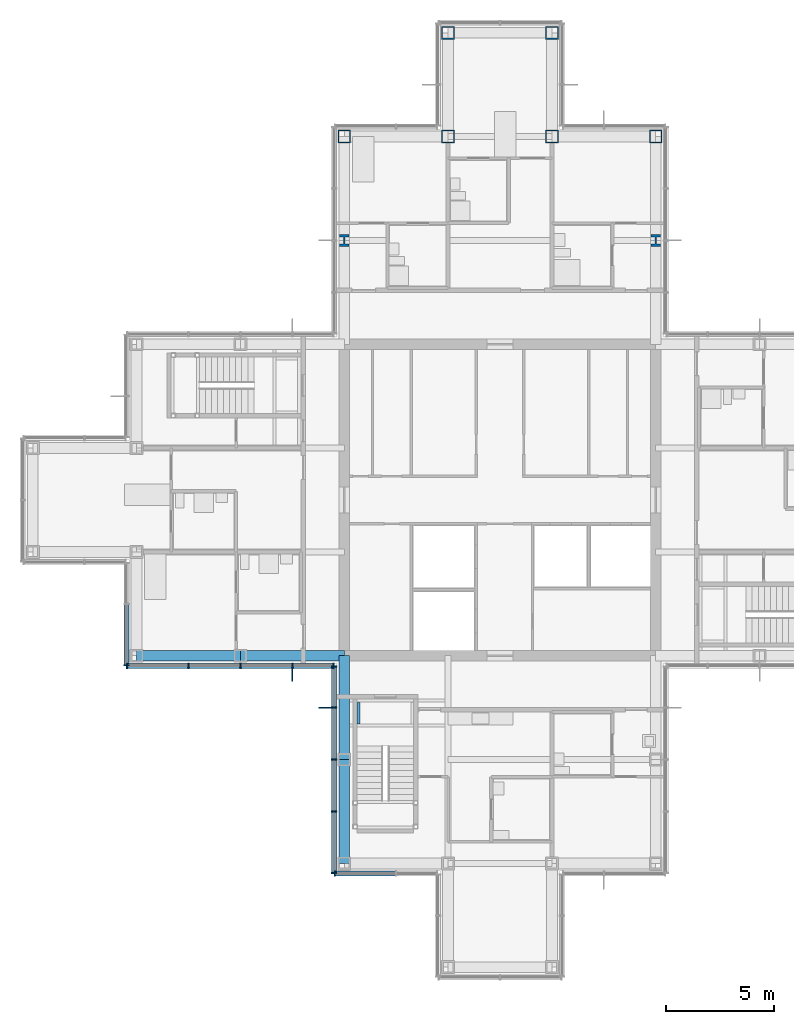
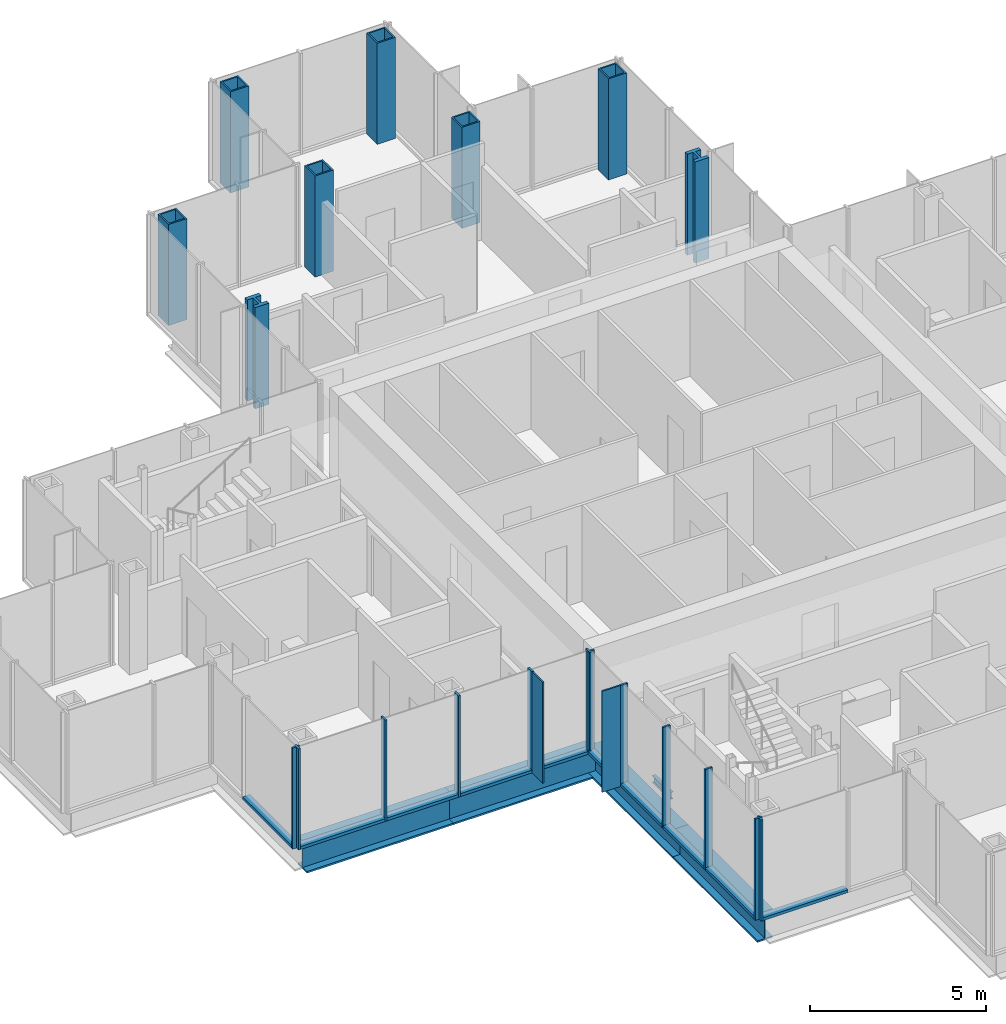
# One storey, part 5 of 17: 24 members, 8 columns, 5 beams, 4 elements without a shape of their own.
"""IFC4 building model written with IfcOpenShell, lengths in metres."""

from ifc_helpers import new_model, si_unit, direction, frame, origin, origin_2d, place, context, subcontext, project, spatial, rectangle, hollow_rectangle, i_section, extrude, material, material_profile, profile_set, type_object, element, aggregate, save


model = new_model("IFC4")

# Units and contexts
model_context = context("Model", 3, precision=1e-05, world=origin(), true_north=direction((0.0, 1.0)))
body_context = subcontext(model_context, "Body", "Model", "MODEL_VIEW")
ifc_project = project(units=[si_unit("LENGTHUNIT", "METRE"), si_unit("AREAUNIT", "SQUARE_METRE"), si_unit("VOLUMEUNIT", "CUBIC_METRE"), si_unit("PLANEANGLEUNIT", "RADIAN"), si_unit("MASSUNIT", "GRAM", prefix="KILO")], contexts=[model_context])

# Site, building, storey
site_placement = place(None, origin())
site = spatial("IfcSite", under=ifc_project, at=site_placement, CompositionType="ELEMENT")
building_placement = place(site_placement, origin())
building = spatial("IfcBuilding", under=site, at=building_placement, Name="Kvirike Care Tower", CompositionType="ELEMENT")
storey_placement = place(building_placement, frame((0.0, 0.0, 148.0)))
storey = spatial("IfcBuildingStorey", under=building, at=storey_placement, Name="L40", CompositionType="ELEMENT", Elevation=148.0)

# Columns
ifc_material_1 = material(Name="Steel S460", Category="steel")
ifc_material_profile_1 = material_profile(ifc_material_1, hollow_rectangle(XDim=0.60009765625, YDim=0.60009765625, WallThickness=0.050048828125, at=origin_2d()), Name="BX 600x600x50")
ifc_profile_set_1 = profile_set([ifc_material_profile_1], Name="Steel S460")
column_type_1 = type_object("IfcColumnType", Name="COLUMN BX 600x600x50", PredefinedType="COLUMN", material=ifc_profile_set_1)
for number, where, z_axis, x_axis, name in (
    (1, (14.39990234375, 52.800048828125, 0.0), (0.0, 0.0, 1.0), (0.0, 1.0, 0.0), "Column M6 L40"),
    (2, (19.199951171875, 52.800048828125, 0.0), (0.0, 0.0, 1.0), (0.0, 1.0, 0.0), "Column M7 L40"),
    (3, (19.199951171875, 57.60009765625, 0.0), (0.0, 0.0, 1.0), (0.0, 1.0, 0.0), "Column N7 L40"),
    (4, (24.0, 52.800048828125, 0.0), (0.0, 0.0, 1.0), (0.0, 1.0, 0.0), "Column M8 L40"),
    (5, (24.0, 57.60009765625, 0.0), (0.0, 0.0, 1.0), (0.0, 1.0, 0.0), "Column N8 L40"),
    (6, (28.800048828125, 52.800048828125, 0.0), (0.0, 0.0, 1.0), (0.0, 1.0, 0.0), "Column M9 L40"),
):
    element("IfcColumn", number, at=place(storey_placement, frame(where, z_axis=z_axis, x_axis=x_axis)), inside=storey, type_object=column_type_1, Name=name, PredefinedType="COLUMN", context=body_context, shape_type="SweptSolid", body=[
        extrude(hollow_rectangle(XDim=0.60009765625, YDim=0.60009765625, WallThickness=0.050048828125, at=origin_2d()), origin(), (0.0, 0.0, 1.0), 3.5),
    ])
ifc_material_2 = material(Name="Steel S460", Category="steel")
ifc_material_profile_2 = material_profile(ifc_material_2, i_section(OverallWidth=0.4541015625, OverallDepth=0.569091796875, WebThickness=0.077880859375, FlangeThickness=0.125, FilletRadius=0.014892578125, at=origin_2d()), Name="HD 400x1086")
ifc_profile_set_2 = profile_set([ifc_material_profile_2], Name="Steel S460")
column_type_2 = type_object("IfcColumnType", Name="COLUMN HD 400x1086", PredefinedType="COLUMN", material=ifc_profile_set_2)
for number, where, z_axis, x_axis, name in (
    (7, (14.39990234375, 48.0, 0.0), (0.0, 0.0, 1.0), (1.0, 0.0, 0.0), "Column L6 L40"),
    (8, (28.800048828125, 48.0, 0.0), (0.0, 0.0, 1.0), (1.0, 0.0, 0.0), "Column L9 L40"),
):
    element("IfcColumn", number, at=place(storey_placement, frame(where, z_axis=z_axis, x_axis=x_axis)), inside=storey, type_object=column_type_2, Name=name, PredefinedType="COLUMN", context=body_context, shape_type="SweptSolid", body=[
        extrude(i_section(OverallWidth=0.4541015625, OverallDepth=0.569091796875, WebThickness=0.077880859375, FlangeThickness=0.125, FilletRadius=0.014892578125, at=origin_2d()), origin(), (0.0, 0.0, 1.0), 3.5),
    ])

# Curtain wall, member
ifc_material_3 = material(Name="Anodised aluminium stick system", Category="aluminium")
curtain_wall_type = type_object("IfcCurtainWallType", Name="CW-C STICK CURTAIN WALL", PredefinedType="NOTDEFINED", material=ifc_material_3)
curtain_wall_1_placement = place(storey_placement, origin())
curtain_wall_1 = element("IfcCurtainWall", 9, at=curtain_wall_1_placement, inside=storey, type_object=curtain_wall_type, Name="Curtain wall L40 face 21", PredefinedType="NOTDEFINED")
ifc_material_4 = material(Name="Bronze anodised aluminium fin", Category="aluminium")
ifc_material_profile_3 = material_profile(ifc_material_4, rectangle(XDim=0.050048828125, YDim=0.60009765625, at=origin_2d()), Name="BRONZE FIN 600")
ifc_profile_set_3 = profile_set([ifc_material_profile_3], Name="Bronze anodised aluminium fin")
member_type_1 = type_object("IfcMemberType", Name="BRONZE FIN 600", PredefinedType="USERDEFINED", material=ifc_profile_set_3)
member_1_placement = place(storey_placement, frame((12.0, 27.909912109375, 0.0), z_axis=(0.0, 0.0, 1.0), x_axis=(1.0, 0.0, 0.0)))
member_1 = element("IfcMember", 10, at=member_1_placement, type_object=member_type_1, Name="Bronze fin L40 face 21.4", ObjectType="FIN", PredefinedType="USERDEFINED", context=body_context, shape_type="SweptSolid", body=[
    extrude(rectangle(XDim=0.050048828125, YDim=0.60009765625, at=origin_2d()), origin(), (0.0, 0.0, 1.0), 3.5),
])

curtain_wall_2_placement = place(storey_placement, origin())
curtain_wall_2 = element("IfcCurtainWall", 11, at=curtain_wall_2_placement, inside=storey, type_object=curtain_wall_type, Name="Curtain wall L40 face 22", PredefinedType="NOTDEFINED")
member_2_placement = place(storey_placement, frame((13.510009765625, 26.39990234375, 0.0), z_axis=(0.0, 0.0, 1.0), x_axis=(0.0, -1.0, 0.0)))
member_2 = element("IfcMember", 12, at=member_2_placement, type_object=member_type_1, Name="Bronze fin L40 face 22.2", ObjectType="FIN", PredefinedType="USERDEFINED", context=body_context, shape_type="SweptSolid", body=[
    extrude(rectangle(XDim=0.050048828125, YDim=0.60009765625, at=origin_2d()), origin(), (0.0, 0.0, 1.0), 3.5),
])

curtain_wall_3_placement = place(storey_placement, origin())
curtain_wall_3 = element("IfcCurtainWall", 13, at=curtain_wall_3_placement, inside=storey, type_object=curtain_wall_type, Name="Curtain wall L40 face 20", PredefinedType="NOTDEFINED")
ifc_material_5 = material(Name="Bronze anodised aluminium mullion", Category="aluminium")
ifc_material_profile_4 = material_profile(ifc_material_5, rectangle(XDim=0.06494140625, YDim=0.239990234375, at=origin_2d()), Name="CW-C MULLION 65x240")
ifc_profile_set_4 = profile_set([ifc_material_profile_4], Name="Bronze anodised aluminium mullion")
member_type_2 = type_object("IfcMemberType", Name="CW-C MULLION 65x240", PredefinedType="MULLION", material=ifc_profile_set_4)
member_3_placement = place(storey_placement, frame((4.330078125, 28.362548828125, 0.0), z_axis=(0.0, 0.0, 1.0), x_axis=(0.0, -1.0, 0.0)))
member_3 = element("IfcMember", 14, at=member_3_placement, type_object=member_type_2, Name="CW-C mullion L40 face 20.3", PredefinedType="MULLION", context=body_context, shape_type="SweptSolid", body=[
    extrude(rectangle(XDim=0.06494140625, YDim=0.239990234375, at=origin_2d()), origin(), (0.0, 0.0, 1.0), 3.5),
])

# Member
member_4_placement = place(storey_placement, frame((4.362548828125, 28.330078125, 0.0), z_axis=(0.0, 0.0, 1.0), x_axis=(1.0, 0.0, 0.0)))
member_4 = element("IfcMember", 15, at=member_4_placement, type_object=member_type_2, Name="CW-C mullion L40 face 21.1", PredefinedType="MULLION", context=body_context, shape_type="SweptSolid", body=[
    extrude(rectangle(XDim=0.06494140625, YDim=0.239990234375, at=origin_2d()), origin(), (0.0, 0.0, 1.0), 3.5),
])

member_5_placement = place(storey_placement, frame((7.199951171875, 28.330078125, 0.0), z_axis=(0.0, 0.0, 1.0), x_axis=(1.0, 0.0, 0.0)))
member_5 = element("IfcMember", 16, at=member_5_placement, type_object=member_type_2, Name="CW-C mullion L40 face 21.2", PredefinedType="MULLION", context=body_context, shape_type="SweptSolid", body=[
    extrude(rectangle(XDim=0.06494140625, YDim=0.239990234375, at=origin_2d()), origin(), (0.0, 0.0, 1.0), 3.5),
])

member_6_placement = place(storey_placement, frame((9.60009765625, 28.330078125, 0.0), z_axis=(0.0, 0.0, 1.0), x_axis=(1.0, 0.0, 0.0)))
member_6 = element("IfcMember", 17, at=member_6_placement, type_object=member_type_2, Name="CW-C mullion L40 face 21.3", PredefinedType="MULLION", context=body_context, shape_type="SweptSolid", body=[
    extrude(rectangle(XDim=0.06494140625, YDim=0.239990234375, at=origin_2d()), origin(), (0.0, 0.0, 1.0), 3.5),
])

member_7_placement = place(storey_placement, frame((12.0, 28.330078125, 0.0), z_axis=(0.0, 0.0, 1.0), x_axis=(1.0, 0.0, 0.0)))
member_7 = element("IfcMember", 18, at=member_7_placement, type_object=member_type_2, Name="CW-C mullion L40 face 21.4", PredefinedType="MULLION", context=body_context, shape_type="SweptSolid", body=[
    extrude(rectangle(XDim=0.06494140625, YDim=0.239990234375, at=origin_2d()), origin(), (0.0, 0.0, 1.0), 3.5),
])

member_8_placement = place(storey_placement, frame((13.8974609375, 28.330078125, 0.0), z_axis=(0.0, 0.0, 1.0), x_axis=(1.0, 0.0, 0.0)))
member_8 = element("IfcMember", 19, at=member_8_placement, type_object=member_type_2, Name="CW-C mullion L40 face 21.5", PredefinedType="MULLION", context=body_context, shape_type="SweptSolid", body=[
    extrude(rectangle(XDim=0.06494140625, YDim=0.239990234375, at=origin_2d()), origin(), (0.0, 0.0, 1.0), 3.5),
])

member_9_placement = place(storey_placement, frame((13.929931640625, 28.297607421875, 0.0), z_axis=(0.0, 0.0, 1.0), x_axis=(0.0, -1.0, 0.0)))
member_9 = element("IfcMember", 20, at=member_9_placement, type_object=member_type_2, Name="CW-C mullion L40 face 22.1", PredefinedType="MULLION", context=body_context, shape_type="SweptSolid", body=[
    extrude(rectangle(XDim=0.06494140625, YDim=0.239990234375, at=origin_2d()), origin(), (0.0, 0.0, 1.0), 3.5),
])

member_10_placement = place(storey_placement, frame((13.929931640625, 26.39990234375, 0.0), z_axis=(0.0, 0.0, 1.0), x_axis=(0.0, -1.0, 0.0)))
member_10 = element("IfcMember", 21, at=member_10_placement, type_object=member_type_2, Name="CW-C mullion L40 face 22.2", PredefinedType="MULLION", context=body_context, shape_type="SweptSolid", body=[
    extrude(rectangle(XDim=0.06494140625, YDim=0.239990234375, at=origin_2d()), origin(), (0.0, 0.0, 1.0), 3.5),
])

member_11_placement = place(storey_placement, frame((13.929931640625, 24.0, 0.0), z_axis=(0.0, 0.0, 1.0), x_axis=(0.0, -1.0, 0.0)))
member_11 = element("IfcMember", 22, at=member_11_placement, type_object=member_type_2, Name="CW-C mullion L40 face 22.3", PredefinedType="MULLION", context=body_context, shape_type="SweptSolid", body=[
    extrude(rectangle(XDim=0.06494140625, YDim=0.239990234375, at=origin_2d()), origin(), (0.0, 0.0, 1.0), 3.5),
])

member_12_placement = place(storey_placement, frame((13.929931640625, 21.60009765625, 0.0), z_axis=(0.0, 0.0, 1.0), x_axis=(0.0, -1.0, 0.0)))
member_12 = element("IfcMember", 23, at=member_12_placement, type_object=member_type_2, Name="CW-C mullion L40 face 22.4", PredefinedType="MULLION", context=body_context, shape_type="SweptSolid", body=[
    extrude(rectangle(XDim=0.06494140625, YDim=0.239990234375, at=origin_2d()), origin(), (0.0, 0.0, 1.0), 3.5),
])

member_13_placement = place(storey_placement, frame((13.929931640625, 18.762451171875, 0.0), z_axis=(0.0, 0.0, 1.0), x_axis=(0.0, -1.0, 0.0)))
member_13 = element("IfcMember", 24, at=member_13_placement, type_object=member_type_2, Name="CW-C mullion L40 face 22.5", PredefinedType="MULLION", context=body_context, shape_type="SweptSolid", body=[
    extrude(rectangle(XDim=0.06494140625, YDim=0.239990234375, at=origin_2d()), origin(), (0.0, 0.0, 1.0), 3.5),
])

# Curtain wall, member
curtain_wall_4_placement = place(storey_placement, origin())
curtain_wall_4 = element("IfcCurtainWall", 25, at=curtain_wall_4_placement, inside=storey, type_object=curtain_wall_type, Name="Curtain wall L40 face 23", PredefinedType="NOTDEFINED")
member_14_placement = place(storey_placement, frame((13.96240234375, 18.72998046875, 0.0), z_axis=(0.0, 0.0, 1.0), x_axis=(1.0, 0.0, 0.0)))
member_14 = element("IfcMember", 26, at=member_14_placement, type_object=member_type_2, Name="CW-C mullion L40 face 23.1", PredefinedType="MULLION", context=body_context, shape_type="SweptSolid", body=[
    extrude(rectangle(XDim=0.06494140625, YDim=0.239990234375, at=origin_2d()), origin(), (0.0, 0.0, 1.0), 3.5),
])

# Member
ifc_material_6 = material(Name="Bronze anodised aluminium transom", Category="aluminium")
ifc_material_profile_5 = material_profile(ifc_material_6, rectangle(XDim=0.239990234375, YDim=0.10009765625, at=origin_2d()), Name="CW-C TRANSOM 240x100")
ifc_profile_set_5 = profile_set([ifc_material_profile_5], Name="Bronze anodised aluminium transom")
member_type_3 = type_object("IfcMemberType", Name="CW-C TRANSOM 240x100", PredefinedType="USERDEFINED", material=ifc_profile_set_5)
member_15_placement = place(storey_placement, frame((4.330078125, 31.16748046875, 0.050048828125), z_axis=(0.0, -1.0, 0.0), x_axis=(1.0, 0.0, 0.0)))
member_15 = element("IfcMember", 27, at=member_15_placement, type_object=member_type_3, Name="CW-C sill transom L40 face 20.2", ObjectType="TRANSOM", PredefinedType="USERDEFINED", context=body_context, shape_type="SweptSolid", body=[
    extrude(rectangle(XDim=0.239990234375, YDim=0.10009765625, at=origin_2d()), origin(), (0.0, 0.0, 1.0), 2.7724609375),
])

aggregate(curtain_wall_3, [member_3, member_15])

member_16_placement = place(storey_placement, frame((4.39501953125, 28.330078125, 0.050048828125), z_axis=(1.0, 0.0, 0.0), x_axis=(0.0, 1.0, 0.0)))
member_16 = element("IfcMember", 28, at=member_16_placement, type_object=member_type_3, Name="CW-C sill transom L40 face 21.1", ObjectType="TRANSOM", PredefinedType="USERDEFINED", context=body_context, shape_type="SweptSolid", body=[
    extrude(rectangle(XDim=0.239990234375, YDim=0.10009765625, at=origin_2d()), origin(), (0.0, 0.0, 1.0), 2.7724609375),
])

member_17_placement = place(storey_placement, frame((7.232421875, 28.330078125, 0.050048828125), z_axis=(1.0, 0.0, 0.0), x_axis=(0.0, 1.0, 0.0)))
member_17 = element("IfcMember", 29, at=member_17_placement, type_object=member_type_3, Name="CW-C sill transom L40 face 21.2", ObjectType="TRANSOM", PredefinedType="USERDEFINED", context=body_context, shape_type="SweptSolid", body=[
    extrude(rectangle(XDim=0.239990234375, YDim=0.10009765625, at=origin_2d()), origin(), (0.0, 0.0, 1.0), 2.3349609375),
])

member_18_placement = place(storey_placement, frame((9.632568359375, 28.330078125, 0.050048828125), z_axis=(1.0, 0.0, 0.0), x_axis=(0.0, 1.0, 0.0)))
member_18 = element("IfcMember", 30, at=member_18_placement, type_object=member_type_3, Name="CW-C sill transom L40 face 21.3", ObjectType="TRANSOM", PredefinedType="USERDEFINED", context=body_context, shape_type="SweptSolid", body=[
    extrude(rectangle(XDim=0.239990234375, YDim=0.10009765625, at=origin_2d()), origin(), (0.0, 0.0, 1.0), 2.3349609375),
])

member_19_placement = place(storey_placement, frame((12.032470703125, 28.330078125, 0.050048828125), z_axis=(1.0, 0.0, 0.0), x_axis=(0.0, 1.0, 0.0)))
member_19 = element("IfcMember", 31, at=member_19_placement, type_object=member_type_3, Name="CW-C sill transom L40 face 21.4", ObjectType="TRANSOM", PredefinedType="USERDEFINED", context=body_context, shape_type="SweptSolid", body=[
    extrude(rectangle(XDim=0.239990234375, YDim=0.10009765625, at=origin_2d()), origin(), (0.0, 0.0, 1.0), 1.83251953125),
])

aggregate(curtain_wall_1, [member_4, member_5, member_6, member_7, member_1, member_8, member_16, member_17, member_18, member_19])

member_20_placement = place(storey_placement, frame((13.929931640625, 28.264892578125, 0.050048828125), z_axis=(0.0, -1.0, 0.0), x_axis=(1.0, 0.0, 0.0)))
member_20 = element("IfcMember", 32, at=member_20_placement, type_object=member_type_3, Name="CW-C sill transom L40 face 22.1", ObjectType="TRANSOM", PredefinedType="USERDEFINED", context=body_context, shape_type="SweptSolid", body=[
    extrude(rectangle(XDim=0.239990234375, YDim=0.10009765625, at=origin_2d()), origin(), (0.0, 0.0, 1.0), 1.832275390625),
])

member_21_placement = place(storey_placement, frame((13.929931640625, 26.367431640625, 0.050048828125), z_axis=(0.0, -1.0, 0.0), x_axis=(1.0, 0.0, 0.0)))
member_21 = element("IfcMember", 33, at=member_21_placement, type_object=member_type_3, Name="CW-C sill transom L40 face 22.2", ObjectType="TRANSOM", PredefinedType="USERDEFINED", context=body_context, shape_type="SweptSolid", body=[
    extrude(rectangle(XDim=0.239990234375, YDim=0.10009765625, at=origin_2d()), origin(), (0.0, 0.0, 1.0), 2.3349609375),
])

member_22_placement = place(storey_placement, frame((13.929931640625, 23.967529296875, 0.050048828125), z_axis=(0.0, -1.0, 0.0), x_axis=(1.0, 0.0, 0.0)))
member_22 = element("IfcMember", 34, at=member_22_placement, type_object=member_type_3, Name="CW-C sill transom L40 face 22.3", ObjectType="TRANSOM", PredefinedType="USERDEFINED", context=body_context, shape_type="SweptSolid", body=[
    extrude(rectangle(XDim=0.239990234375, YDim=0.10009765625, at=origin_2d()), origin(), (0.0, 0.0, 1.0), 2.3349609375),
])

member_23_placement = place(storey_placement, frame((13.929931640625, 21.5673828125, 0.050048828125), z_axis=(0.0, -1.0, 0.0), x_axis=(1.0, 0.0, 0.0)))
member_23 = element("IfcMember", 35, at=member_23_placement, type_object=member_type_3, Name="CW-C sill transom L40 face 22.4", ObjectType="TRANSOM", PredefinedType="USERDEFINED", context=body_context, shape_type="SweptSolid", body=[
    extrude(rectangle(XDim=0.239990234375, YDim=0.10009765625, at=origin_2d()), origin(), (0.0, 0.0, 1.0), 2.7724609375),
])

aggregate(curtain_wall_2, [member_9, member_10, member_2, member_11, member_12, member_13, member_20, member_21, member_22, member_23])

member_24_placement = place(storey_placement, frame((13.9951171875, 18.72998046875, 0.050048828125), z_axis=(1.0, 0.0, 0.0), x_axis=(0.0, 1.0, 0.0)))
member_24 = element("IfcMember", 36, at=member_24_placement, type_object=member_type_3, Name="CW-C sill transom L40 face 23.1", ObjectType="TRANSOM", PredefinedType="USERDEFINED", context=body_context, shape_type="SweptSolid", body=[
    extrude(rectangle(XDim=0.239990234375, YDim=0.10009765625, at=origin_2d()), origin(), (0.0, 0.0, 1.0), 2.7724609375),
])

aggregate(curtain_wall_4, [member_14, member_24])

# Beams
ifc_material_7 = material(Name="Steel S355", Category="steel")
ifc_material_profile_6 = material_profile(ifc_material_7, i_section(OverallWidth=0.5, OverallDepth=1.0, WebThickness=0.030029296875, FlangeThickness=0.06005859375, at=origin_2d()), Name="PG 1000x500x30x60")
ifc_profile_set_6 = profile_set([ifc_material_profile_6], Name="Steel S355")
beam_type_1 = type_object("IfcBeamType", Name="SPANDREL PG 1000x500x30x60", PredefinedType="SPANDREL", material=ifc_profile_set_6)
beam_1_placement = place(storey_placement, frame((4.800048828125, 28.800048828125, -0.669921875), z_axis=(1.0, 0.0, 0.0), x_axis=(0.0, 1.0, 0.0)))
element("IfcBeam", 37, at=beam_1_placement, inside=storey, type_object=beam_type_1, Name="Spandrel G4-G5 L40", PredefinedType="SPANDREL", context=body_context, shape_type="SweptSolid", body=[
    extrude(i_section(OverallWidth=0.5, OverallDepth=1.0, WebThickness=0.030029296875, FlangeThickness=0.06005859375, at=origin_2d()), origin(), (0.0, 0.0, 1.0), 4.800048828125),
])
beam_2_placement = place(storey_placement, frame((9.60009765625, 28.800048828125, -0.669921875), z_axis=(1.0, 0.0, 0.0), x_axis=(0.0, 1.0, 0.0)))
element("IfcBeam", 38, at=beam_2_placement, inside=storey, type_object=beam_type_1, Name="Spandrel G5-G6 L40", PredefinedType="SPANDREL", context=body_context, shape_type="SweptSolid", body=[
    extrude(i_section(OverallWidth=0.5, OverallDepth=1.0, WebThickness=0.030029296875, FlangeThickness=0.06005859375, at=origin_2d()), origin(), (0.0, 0.0, 1.0), 4.7998046875),
])
for number, where, z_axis, x_axis, name in (
    (39, (14.39990234375, 19.199951171875, -0.669921875), (0.0, 1.0, 0.0), (-1.0, 0.0, 0.0), "Spandrel E6-F6 L40"),
    (40, (14.39990234375, 24.0, -0.669921875), (0.0, 1.0, 0.0), (-1.0, 0.0, 0.0), "Spandrel F6-G6 L40"),
):
    element("IfcBeam", number, at=place(storey_placement, frame(where, z_axis=z_axis, x_axis=x_axis)), inside=storey, type_object=beam_type_1, Name=name, PredefinedType="SPANDREL", context=body_context, shape_type="SweptSolid", body=[
        extrude(i_section(OverallWidth=0.5, OverallDepth=1.0, WebThickness=0.030029296875, FlangeThickness=0.06005859375, at=origin_2d()), origin(), (0.0, 0.0, 1.0), 4.800048828125),
    ])
ifc_material_8 = material(Name="Steel S355", Category="steel")
ifc_material_profile_7 = material_profile(ifc_material_8, i_section(OverallWidth=0.1201171875, OverallDepth=0.239990234375, WebThickness=0.006103515625, FlangeThickness=0.009765625, FilletRadius=0.014892578125, at=origin_2d()), Name="IPE 240")
ifc_profile_set_7 = profile_set([ifc_material_profile_7], Name="Steel S355")
beam_type_2 = type_object("IfcBeamType", Name="STAIR LANDING BEAM IPE 240", PredefinedType="BEAM", material=ifc_profile_set_7)
beam_3_placement = place(storey_placement, frame((15.06005859375, 25.64990234375, -0.320068359375), z_axis=(0.0, 1.0, 0.0), x_axis=(-1.0, 0.0, 0.0)))
element("IfcBeam", 41, at=beam_3_placement, inside=storey, type_object=beam_type_2, Name="Stair 5 landing edge beam 1 L40", PredefinedType="BEAM", context=body_context, shape_type="SweptSolid", body=[
    extrude(i_section(OverallWidth=0.1201171875, OverallDepth=0.239990234375, WebThickness=0.006103515625, FlangeThickness=0.009765625, FilletRadius=0.014892578125, at=origin_2d()), origin(), (0.0, 0.0, 1.0), 1.0),
])

save(model, "model.ifc")
